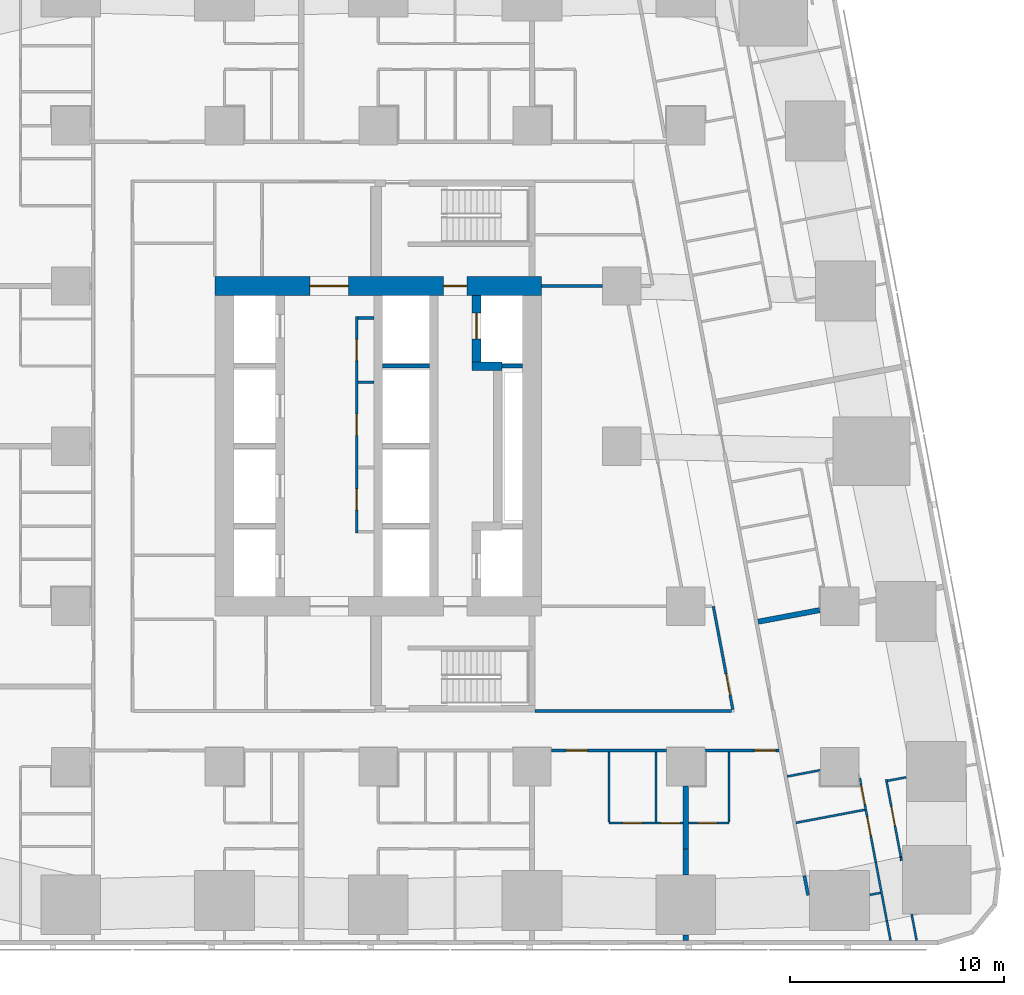
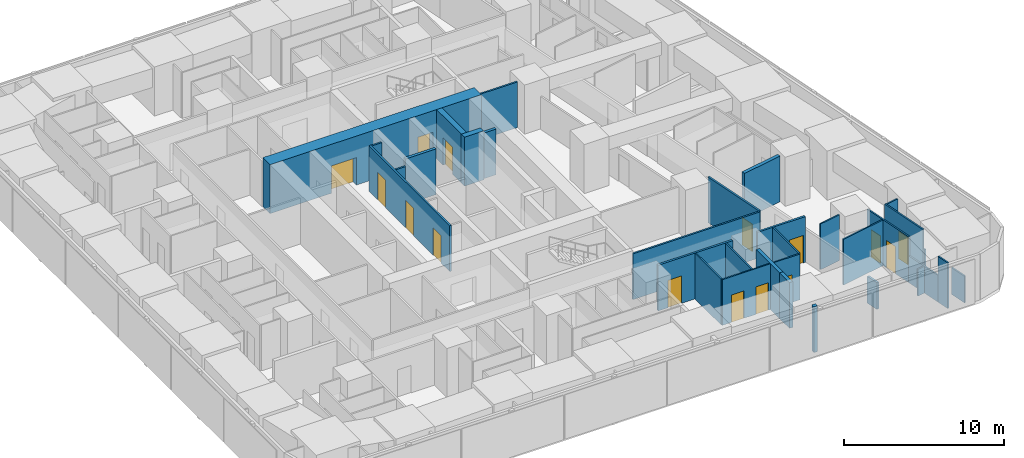
# One storey, part 7 of 16: 33 walls, 15 doors, 15 openings.
"""IFC4 building model written with IfcOpenShell, lengths in metres."""

from ifc_helpers import new_model, si_unit, direction, frame, frame_2d, origin, place, context, subcontext, project, spatial, rectangle, extrude, material, layer, layer_set, type_object, element, fill, save


model = new_model("IFC4")

# Units and contexts
model_context = context("Model", 3, precision=1e-05, world=origin(), true_north=direction((0.0, 1.0)))
body_context = subcontext(model_context, "Body", "Model", "MODEL_VIEW")
ifc_project = project(units=[si_unit("LENGTHUNIT", "METRE"), si_unit("AREAUNIT", "SQUARE_METRE"), si_unit("VOLUMEUNIT", "CUBIC_METRE"), si_unit("PLANEANGLEUNIT", "RADIAN"), si_unit("MASSUNIT", "GRAM", prefix="KILO")], contexts=[model_context])

# Site, building, storey
site_placement = place(None, origin())
site = spatial("IfcSite", under=ifc_project, at=site_placement, CompositionType="ELEMENT")
building_placement = place(site_placement, origin())
building = spatial("IfcBuilding", under=site, at=building_placement, Name="Sheger Commons Tower", CompositionType="ELEMENT")
storey_placement = place(building_placement, frame((0.0, 0.0, 53.75)))
storey = spatial("IfcBuildingStorey", under=building, at=storey_placement, Name="L13", CompositionType="ELEMENT", Elevation=53.75)

# Wall
ifc_material_1 = material(Name="Concrete C50/60", Category="concrete")
ifc_layer_1 = layer(ifc_material_1, 0.39990234375)
ifc_layer_set_1 = layer_set([ifc_layer_1], Name="CORE INNER WALL 400")
wall_type_1 = type_object("IfcWallType", Name="CORE INNER WALL 400", PredefinedType="SHEAR", material=ifc_layer_set_1)
wall_1_placement = place(storey_placement, frame((26.0, 26.25, 0.0), z_axis=(0.0, 0.0, 1.0), x_axis=(1.0, 0.0, 0.0)))
element("IfcWall", 1, at=wall_1_placement, inside=storey, type_object=wall_type_1, Name="Core inner wall F north return L13", PredefinedType="SHEAR", context=body_context, shape_type="SweptSolid", body=[
    extrude(rectangle(XDim=1.39990234375, YDim=0.39990234375, at=frame_2d((0.699951171875, 0.0))), origin(), (0.0, 0.0, 1.0), 3.75),
])

# Wall, opening, door
wall_2_placement = place(storey_placement, frame((26.199951171875, 26.449951171875, 0.0), z_axis=(0.0, 0.0, 1.0), x_axis=(0.0, 1.0, 0.0)))
wall_2 = element("IfcWall", 2, at=wall_2_placement, inside=storey, type_object=wall_type_1, Name="Core inner wall F north L13", PredefinedType="SHEAR", context=body_context, shape_type="SweptSolid", body=[
    extrude(rectangle(XDim=3.10009765625, YDim=0.39990234375, at=frame_2d((1.550048828125, 0.0))), origin(), (0.0, 0.0, 1.0), 3.75),
])
opening_1_placement = place(wall_2_placement, frame((1.074951171875, 0.0, 0.0)))
opening_1 = element("IfcOpeningElement", 3, at=opening_1_placement, cuts=wall_2, Name="Opening LD2", PredefinedType="OPENING", context=body_context, shape_type="SweptSolid", body=[
    extrude(rectangle(XDim=1.199951171875, YDim=2.10009765625, at=frame_2d((0.60009765625, 1.050048828125))), frame((0.0, 0.2099609375, 0.0), z_axis=(0.0, -1.0, 0.0), x_axis=(1.0, 0.0, 0.0)), (0.0, 0.0, 1.0), 0.419921875),
])
ifc_material_2 = material(Name="Steel door set, fire rated", Category="steel")
door_type_1 = type_object("IfcDoorType", Name="FIREFIGHTING LIFT LANDING DOOR 1200x2100", OperationType="DOUBLE_DOOR_SLIDING", PredefinedType="DOOR", material=ifc_material_2)
door_1_placement = place(opening_1_placement, origin())
door_1 = element("IfcDoor", 4, at=door_1_placement, inside=storey, type_object=door_type_1, Name="Lift FL2 landing door", OperationType="DOUBLE_DOOR_SLIDING", OverallHeight=2.10009765625, OverallWidth=1.199951171875, PredefinedType="DOOR", context=body_context, shape_type="SweptSolid", body=[
    extrude(rectangle(XDim=1.199951171875, YDim=2.10009765625, at=frame_2d((0.60009765625, 1.050048828125))), frame((0.0, 0.02490234375, 0.0), z_axis=(0.0, -1.0, 0.0), x_axis=(1.0, 0.0, 0.0)), (0.0, 0.0, 1.0), 0.050048828125),
])
fill(opening_1, door_1)

# Wall, openings, doors
ifc_material_3 = material(Name="Concrete C50/60", Category="concrete")
ifc_layer_2 = layer(ifc_material_3, 0.89990234375)
ifc_layer_set_2 = layer_set([ifc_layer_2], Name="CORE WALL 900")
wall_type_2 = type_object("IfcWallType", Name="CORE WALL 900", PredefinedType="SHEAR", material=ifc_layer_set_2)
wall_3_placement = place(storey_placement, frame((13.949951171875, 30.0, 0.0), z_axis=(0.0, 0.0, 1.0), x_axis=(1.0, 0.0, 0.0)))
wall_3 = element("IfcWall", 5, at=wall_3_placement, inside=storey, type_object=wall_type_2, Name="Core wall north L13", PredefinedType="SHEAR", context=body_context, shape_type="SweptSolid", body=[
    extrude(rectangle(XDim=15.300048828125, YDim=0.89990234375, at=frame_2d((7.64990234375, 0.0))), origin(), (0.0, 0.0, 1.0), 3.75),
])
opening_2_placement = place(wall_3_placement, frame((4.449951171875, 0.0, 0.0)))
opening_2 = element("IfcOpeningElement", 6, at=opening_2_placement, cuts=wall_3, Name="Opening D6", PredefinedType="OPENING", context=body_context, shape_type="SweptSolid", body=[
    extrude(rectangle(XDim=1.800048828125, YDim=2.10009765625, at=frame_2d((0.89990234375, 1.050048828125))), frame((0.0, 0.4599609375, 0.0), z_axis=(0.0, -1.0, 0.0), x_axis=(1.0, 0.0, 0.0)), (0.0, 0.0, 1.0), 0.919921875),
])
opening_3_placement = place(wall_3_placement, frame((10.699951171875, 0.0, 0.0)))
opening_3 = element("IfcOpeningElement", 7, at=opening_3_placement, cuts=wall_3, Name="Opening D5", PredefinedType="OPENING", context=body_context, shape_type="SweptSolid", body=[
    extrude(rectangle(XDim=1.10009765625, YDim=2.10009765625, at=frame_2d((0.550048828125, 1.050048828125))), frame((0.0, 0.4599609375, 0.0), z_axis=(0.0, -1.0, 0.0), x_axis=(1.0, 0.0, 0.0)), (0.0, 0.0, 1.0), 0.919921875),
])
ifc_material_4 = material(Name="Steel door set, fire rated", Category="steel")
door_type_2 = type_object("IfcDoorType", Name="LOBBY DOUBLE DOOR 1800x2100", OperationType="DOUBLE_DOOR_SINGLE_SWING", PredefinedType="DOOR", material=ifc_material_4)
door_2_placement = place(opening_2_placement, origin())
door_2 = element("IfcDoor", 8, at=door_2_placement, inside=storey, type_object=door_type_2, Name="Lift lobby door", OperationType="DOUBLE_DOOR_SINGLE_SWING", OverallHeight=2.10009765625, OverallWidth=1.800048828125, PredefinedType="DOOR", context=body_context, shape_type="SweptSolid", body=[
    extrude(rectangle(XDim=1.800048828125, YDim=2.10009765625, at=frame_2d((0.89990234375, 1.050048828125))), frame((0.0, 0.02490234375, 0.0), z_axis=(0.0, -1.0, 0.0), x_axis=(1.0, 0.0, 0.0)), (0.0, 0.0, 1.0), 0.050048828125),
])
fill(opening_2, door_2)
ifc_material_5 = material(Name="Steel door set, fire rated", Category="steel")
door_type_3 = type_object("IfcDoorType", Name="STAIR DOOR 1100x2100", OperationType="NOTDEFINED", PredefinedType="DOOR", material=ifc_material_5)
door_3_placement = place(opening_3_placement, origin())
door_3 = element("IfcDoor", 9, at=door_3_placement, inside=storey, type_object=door_type_3, Name="Fire-fighting lobby door", OperationType="SINGLE_SWING_LEFT", OverallHeight=2.10009765625, OverallWidth=1.10009765625, PredefinedType="DOOR", context=body_context, shape_type="SweptSolid", body=[
    extrude(rectangle(XDim=1.10009765625, YDim=2.10009765625, at=frame_2d((0.550048828125, 1.050048828125))), frame((0.0, 0.02490234375, 0.0), z_axis=(0.0, -1.0, 0.0), x_axis=(1.0, 0.0, 0.0)), (0.0, 0.0, 1.0), 0.050048828125),
])
fill(opening_3, door_3)

# Wall, opening, door
ifc_material_6 = material(Name="Hollow concrete block masonry, skimmed both sides", Category="masonry")
ifc_layer_3 = layer(ifc_material_6, 0.14990234375)
ifc_layer_set_3 = layer_set([ifc_layer_3], Name="CORRIDOR WALL 150")
wall_type_3 = type_object("IfcWallType", Name="CORRIDOR WALL 150", PredefinedType="SOLIDWALL", material=ifc_layer_set_3)
wall_4_placement = place(storey_placement, frame((40.35498046875, 8.25, 0.0), z_axis=(0.0, 0.0, 1.0), x_axis=(-1.0, 0.0, 0.0)))
wall_4 = element("IfcWall", 10, at=wall_4_placement, inside=storey, type_object=wall_type_3, Name="Corridor wall L13", PredefinedType="SOLIDWALL", context=body_context, shape_type="SweptSolid", body=[
    extrude(rectangle(XDim=3.4541015625, YDim=0.14990234375, at=frame_2d((1.72705078125, 0.0))), origin(), (0.0, 0.0, 1.0), 3.5),
])
opening_4_placement = place(wall_4_placement, frame((0.14990234375, 0.0, 0.0)))
opening_4 = element("IfcOpeningElement", 11, at=opening_4_placement, cuts=wall_4, Name="Opening D1", PredefinedType="OPENING", context=body_context, shape_type="SweptSolid", body=[
    extrude(rectangle(XDim=1.0, YDim=2.10009765625, at=frame_2d((0.5, 1.050048828125))), frame((0.0, 0.0849609375, 0.0), z_axis=(0.0, -1.0, 0.0), x_axis=(1.0, 0.0, 0.0)), (0.0, 0.0, 1.0), 0.169921875),
])
ifc_material_7 = material(Name="Steel door set, fire rated", Category="steel")
door_type_4 = type_object("IfcDoorType", Name="FLAT ENTRANCE DOOR 1000x2100", OperationType="NOTDEFINED", PredefinedType="DOOR", material=ifc_material_7)
door_4_placement = place(opening_4_placement, origin())
door_4 = element("IfcDoor", 12, at=door_4_placement, inside=storey, type_object=door_type_4, Name="Flat entrance door", OperationType="SINGLE_SWING_LEFT", OverallHeight=2.10009765625, OverallWidth=1.0, PredefinedType="DOOR", context=body_context, shape_type="SweptSolid", body=[
    extrude(rectangle(XDim=1.0, YDim=2.10009765625, at=frame_2d((0.5, 1.050048828125))), frame((0.0, 0.02490234375, 0.0), z_axis=(0.0, -1.0, 0.0), x_axis=(1.0, 0.0, 0.0)), (0.0, 0.0, 1.0), 0.050048828125),
])
fill(opening_4, door_4)

wall_5_placement = place(storey_placement, frame((35.09912109375, 8.25, 0.0), z_axis=(0.0, 0.0, 1.0), x_axis=(-1.0, 0.0, 0.0)))
wall_5 = element("IfcWall", 13, at=wall_5_placement, inside=storey, type_object=wall_type_3, Name="Corridor wall L13", PredefinedType="SOLIDWALL", context=body_context, shape_type="SweptSolid", body=[
    extrude(rectangle(XDim=5.398193359375, YDim=0.14990234375, at=frame_2d((2.69921875, 0.0))), origin(), (0.0, 0.0, 1.0), 3.5),
])
opening_5_placement = place(wall_5_placement, frame((3.698974609375, 0.0, 0.0)))
opening_5 = element("IfcOpeningElement", 14, at=opening_5_placement, cuts=wall_5, Name="Opening D1", PredefinedType="OPENING", context=body_context, shape_type="SweptSolid", body=[
    extrude(rectangle(XDim=1.0, YDim=2.10009765625, at=frame_2d((0.5, 1.050048828125))), frame((0.0, 0.0849609375, 0.0), z_axis=(0.0, -1.0, 0.0), x_axis=(1.0, 0.0, 0.0)), (0.0, 0.0, 1.0), 0.169921875),
])
door_5_placement = place(opening_5_placement, origin())
door_5 = element("IfcDoor", 15, at=door_5_placement, inside=storey, type_object=door_type_4, Name="Flat entrance door", OperationType="SINGLE_SWING_RIGHT", OverallHeight=2.10009765625, OverallWidth=1.0, PredefinedType="DOOR", context=body_context, shape_type="SweptSolid", body=[
    extrude(rectangle(XDim=1.0, YDim=2.10009765625, at=frame_2d((0.5, 1.050048828125))), frame((0.0, 0.02490234375, 0.0), z_axis=(0.0, -1.0, 0.0), x_axis=(1.0, 0.0, 0.0)), (0.0, 0.0, 1.0), 0.050048828125),
])
fill(opening_5, door_5)

# Walls
wall_6_placement = place(storey_placement, frame((41.552001953125, 2.39208984375, 0.0), z_axis=(0.0, 0.0, 1.0), x_axis=(0.185687800081, -0.982608793417, 0.0)))
element("IfcWall", 16, at=wall_6_placement, inside=storey, type_object=wall_type_3, Name="Corridor wall L13", PredefinedType="SOLIDWALL", context=body_context, shape_type="SweptSolid", body=[
    extrude(rectangle(XDim=0.9375, YDim=0.14990234375, at=frame_2d((0.46875, 0.0))), origin(), (0.0, 0.0, 1.0), 2.050048828125),
])
ifc_material_8 = material(Name="Dense concrete block masonry, plastered both sides (separating wall between flats)", Category="masonry")
ifc_layer_4 = layer(ifc_material_8, 0.25)
ifc_layer_set_4 = layer_set([ifc_layer_4], Name="DEMISING WALL 250")
wall_type_4 = type_object("IfcWallType", Name="DEMISING WALL 250", PredefinedType="SOLIDWALL", material=ifc_layer_set_4)
wall_7_placement = place(storey_placement, frame((36.0, -0.64990234375, 0.0), z_axis=(0.0, 0.0, 1.0), x_axis=(0.0, 1.0, 0.0)))
element("IfcWall", 17, at=wall_7_placement, inside=storey, type_object=wall_type_4, Name="Demising wall L13", PredefinedType="SOLIDWALL", context=body_context, shape_type="SweptSolid", body=[
    extrude(rectangle(XDim=0.27392578125, YDim=0.25, at=frame_2d((0.136962890625, 0.0))), origin(), (0.0, 0.0, 1.0), 3.5),
])
wall_8_placement = place(storey_placement, frame((36.0, 2.426025390625, 0.0), z_axis=(0.0, 0.0, 1.0), x_axis=(0.0, 1.0, 0.0)))
element("IfcWall", 18, at=wall_8_placement, inside=storey, type_object=wall_type_4, Name="Demising wall L13", PredefinedType="SOLIDWALL", context=body_context, shape_type="SweptSolid", body=[
    extrude(rectangle(XDim=1.223876953125, YDim=0.25, at=frame_2d((0.61181640625, 0.0))), origin(), (0.0, 0.0, 1.0), 3.5),
])
wall_9_placement = place(storey_placement, frame((36.0, 3.64990234375, 0.0), z_axis=(0.0, 0.0, 1.0), x_axis=(0.0, 1.0, 0.0)))
element("IfcWall", 19, at=wall_9_placement, inside=storey, type_object=wall_type_4, Name="Demising wall L13", PredefinedType="SOLIDWALL", context=body_context, shape_type="SweptSolid", body=[
    extrude(rectangle(XDim=2.94921875, YDim=0.25, at=frame_2d((1.474609375, 0.0))), origin(), (0.0, 0.0, 1.0), 3.5),
])
wall_10_placement = place(storey_placement, frame((42.27587890625, 14.824951171875, 0.0), z_axis=(0.0, 0.0, 1.0), x_axis=(-0.982656521819, -0.185435056358, 0.0)))
element("IfcWall", 20, at=wall_10_placement, inside=storey, type_object=wall_type_4, Name="Demising wall L13", PredefinedType="SOLIDWALL", context=body_context, shape_type="SweptSolid", body=[
    extrude(rectangle(XDim=2.94384765625, YDim=0.25, at=frame_2d((1.471923828125, 0.0))), origin(), (0.0, 0.0, 1.0), 3.5),
])

# Wall, openings, doors
ifc_material_9 = material(Name="Gypsum board on steel studs", Category="steel")
ifc_layer_5 = layer(ifc_material_9, 0.10009765625)
ifc_layer_set_5 = layer_set([ifc_layer_5], Name="PARTITION 100")
wall_type_5 = type_object("IfcWallType", Name="PARTITION 100", PredefinedType="PARTITIONING", material=ifc_layer_set_5)
wall_11_placement = place(storey_placement, frame((35.875, 4.85009765625, 0.0), z_axis=(0.0, 0.0, 1.0), x_axis=(-1.0, 0.0, 0.0)))
wall_11 = element("IfcWall", 21, at=wall_11_placement, inside=storey, type_object=wall_type_5, Name="Partition L13", PredefinedType="PARTITIONING", context=body_context, shape_type="SweptSolid", body=[
    extrude(rectangle(XDim=3.47509765625, YDim=0.10009765625, at=frame_2d((1.737548828125, 0.0))), origin(), (0.0, 0.0, 1.0), 3.5),
])
opening_6_placement = place(wall_11_placement, frame((1.919921875, 0.0, 0.0)))
opening_6 = element("IfcOpeningElement", 22, at=opening_6_placement, cuts=wall_11, Name="Opening D2", PredefinedType="OPENING", context=body_context, shape_type="SweptSolid", body=[
    extrude(rectangle(XDim=0.89990234375, YDim=2.10009765625, at=frame_2d((0.449951171875, 1.050048828125))), frame((0.0, 0.06005859375, 0.0), z_axis=(0.0, -1.0, 0.0), x_axis=(1.0, 0.0, 0.0)), (0.0, 0.0, 1.0), 0.1201171875),
])
opening_7_placement = place(wall_11_placement, frame((0.14990234375, 0.0, 0.0)))
opening_7 = element("IfcOpeningElement", 23, at=opening_7_placement, cuts=wall_11, Name="Opening D2", PredefinedType="OPENING", context=body_context, shape_type="SweptSolid", body=[
    extrude(rectangle(XDim=0.89990234375, YDim=2.10009765625, at=frame_2d((0.449951171875, 1.050048828125))), frame((0.0, 0.06005859375, 0.0), z_axis=(0.0, -1.0, 0.0), x_axis=(1.0, 0.0, 0.0)), (0.0, 0.0, 1.0), 0.1201171875),
])
ifc_material_10 = material(Name="Timber door set", Category="wood")
door_type_5 = type_object("IfcDoorType", Name="INTERNAL DOOR 900x2100", OperationType="NOTDEFINED", PredefinedType="DOOR", material=ifc_material_10)
door_6_placement = place(opening_6_placement, origin())
door_6 = element("IfcDoor", 24, at=door_6_placement, inside=storey, type_object=door_type_5, Name="Bathroom door", OperationType="SINGLE_SWING_LEFT", OverallHeight=2.10009765625, OverallWidth=0.89990234375, PredefinedType="DOOR", context=body_context, shape_type="SweptSolid", body=[
    extrude(rectangle(XDim=0.89990234375, YDim=2.10009765625, at=frame_2d((0.449951171875, 1.050048828125))), frame((0.0, 0.02490234375, 0.0), z_axis=(0.0, -1.0, 0.0), x_axis=(1.0, 0.0, 0.0)), (0.0, 0.0, 1.0), 0.050048828125),
])
fill(opening_6, door_6)
door_7_placement = place(opening_7_placement, origin())
door_7 = element("IfcDoor", 25, at=door_7_placement, inside=storey, type_object=door_type_5, Name="Store door", OperationType="SINGLE_SWING_RIGHT", OverallHeight=2.10009765625, OverallWidth=0.89990234375, PredefinedType="DOOR", context=body_context, shape_type="SweptSolid", body=[
    extrude(rectangle(XDim=0.89990234375, YDim=2.10009765625, at=frame_2d((0.449951171875, 1.050048828125))), frame((0.0, 0.02490234375, 0.0), z_axis=(0.0, -1.0, 0.0), x_axis=(1.0, 0.0, 0.0)), (0.0, 0.0, 1.0), 0.050048828125),
])
fill(opening_7, door_7)

# Walls
for number, where, z_axis, x_axis, name in (
    (26, (32.39990234375, 4.89990234375, 0.0), (0.0, 0.0, 1.0), (0.0, 1.0, 0.0), "Partition L13"),
    (27, (34.610107421875, 4.89990234375, 0.0), (0.0, 0.0, 1.0), (0.0, 1.0, 0.0), "Partition L13"),
):
    element("IfcWall", number, at=place(storey_placement, frame(where, z_axis=z_axis, x_axis=x_axis)), inside=storey, type_object=wall_type_5, Name=name, PredefinedType="PARTITIONING", context=body_context, shape_type="SweptSolid", body=[
        extrude(rectangle(XDim=3.275146484375, YDim=0.10009765625, at=frame_2d((1.6376953125, 0.0))), origin(), (0.0, 0.0, 1.0), 3.5),
    ])

# Wall, opening, door
wall_12_placement = place(storey_placement, frame((38.029052734375, 4.85009765625, 0.0), z_axis=(0.0, 0.0, 1.0), x_axis=(-1.0, 0.0, 0.0)))
wall_12 = element("IfcWall", 28, at=wall_12_placement, inside=storey, type_object=wall_type_5, Name="Partition L13", PredefinedType="PARTITIONING", context=body_context, shape_type="SweptSolid", body=[
    extrude(rectangle(XDim=1.904052734375, YDim=0.10009765625, at=frame_2d((0.9521484375, 0.0))), origin(), (0.0, 0.0, 1.0), 3.5),
])
opening_8_placement = place(wall_12_placement, frame((0.5791015625, 0.0, 0.0)))
opening_8 = element("IfcOpeningElement", 29, at=opening_8_placement, cuts=wall_12, Name="Opening D2", PredefinedType="OPENING", context=body_context, shape_type="SweptSolid", body=[
    extrude(rectangle(XDim=0.89990234375, YDim=2.10009765625, at=frame_2d((0.449951171875, 1.050048828125))), frame((0.0, 0.06005859375, 0.0), z_axis=(0.0, -1.0, 0.0), x_axis=(1.0, 0.0, 0.0)), (0.0, 0.0, 1.0), 0.1201171875),
])
door_8_placement = place(opening_8_placement, origin())
door_8 = element("IfcDoor", 30, at=door_8_placement, inside=storey, type_object=door_type_5, Name="Shower room door", OperationType="SINGLE_SWING_LEFT", OverallHeight=2.10009765625, OverallWidth=0.89990234375, PredefinedType="DOOR", context=body_context, shape_type="SweptSolid", body=[
    extrude(rectangle(XDim=0.89990234375, YDim=2.10009765625, at=frame_2d((0.449951171875, 1.050048828125))), frame((0.0, 0.02490234375, 0.0), z_axis=(0.0, -1.0, 0.0), x_axis=(1.0, 0.0, 0.0)), (0.0, 0.0, 1.0), 0.050048828125),
])
fill(opening_8, door_8)

# Wall
wall_13_placement = place(storey_placement, frame((38.029052734375, 4.89990234375, 0.0), z_axis=(0.0, 0.0, 1.0), x_axis=(0.0, 1.0, 0.0)))
element("IfcWall", 31, at=wall_13_placement, inside=storey, type_object=wall_type_5, Name="Partition L13", PredefinedType="PARTITIONING", context=body_context, shape_type="SweptSolid", body=[
    extrude(rectangle(XDim=3.275146484375, YDim=0.10009765625, at=frame_2d((1.6376953125, 0.0))), origin(), (0.0, 0.0, 1.0), 3.5),
])

# Wall, opening, door
wall_14_placement = place(storey_placement, frame((45.383056640625, 6.89404296875, 0.0), z_axis=(0.0, 0.0, 1.0), x_axis=(0.185791461635, -0.982589198385, 0.0)))
wall_14 = element("IfcWall", 32, at=wall_14_placement, inside=storey, type_object=wall_type_5, Name="Partition L13", PredefinedType="PARTITIONING", context=body_context, shape_type="SweptSolid", body=[
    extrude(rectangle(XDim=3.687255859375, YDim=0.10009765625, at=frame_2d((1.84375, 0.0))), origin(), (0.0, 0.0, 1.0), 3.5),
])
opening_9_placement = place(wall_14_placement, frame((1.300048828125, 0.0, 0.0)))
opening_9 = element("IfcOpeningElement", 33, at=opening_9_placement, cuts=wall_14, Name="Opening D2", PredefinedType="OPENING", context=body_context, shape_type="SweptSolid", body=[
    extrude(rectangle(XDim=0.89990234375, YDim=2.10009765625, at=frame_2d((0.449951171875, 1.050048828125))), frame((0.0, 0.06005859375, 0.0), z_axis=(0.0, -1.0, 0.0), x_axis=(1.0, 0.0, 0.0)), (0.0, 0.0, 1.0), 0.1201171875),
])
door_9_placement = place(opening_9_placement, origin())
door_9 = element("IfcDoor", 34, at=door_9_placement, inside=storey, type_object=door_type_5, Name="Main bedroom door", OperationType="SINGLE_SWING_LEFT", OverallHeight=2.10009765625, OverallWidth=0.89990234375, PredefinedType="DOOR", context=body_context, shape_type="SweptSolid", body=[
    extrude(rectangle(XDim=0.89990234375, YDim=2.10009765625, at=frame_2d((0.449951171875, 1.050048828125))), frame((0.0, 0.02490234375, 0.0), z_axis=(0.0, -1.0, 0.0), x_axis=(1.0, 0.0, 0.0)), (0.0, 0.0, 1.0), 0.050048828125),
])
fill(opening_9, door_9)

# Walls
wall_15_placement = place(storey_placement, frame((46.068115234375, 3.27099609375, 0.0), z_axis=(0.0, 0.0, 1.0), x_axis=(0.183590240121, -0.98300286049, 0.0)))
element("IfcWall", 35, at=wall_15_placement, inside=storey, type_object=wall_type_5, Name="Partition L13", PredefinedType="PARTITIONING", context=body_context, shape_type="SweptSolid", body=[
    extrude(rectangle(XDim=0.1689453125, YDim=0.10009765625, at=frame_2d((0.08447265625, 0.0))), origin(), (0.0, 0.0, 1.0), 2.050048828125),
])
wall_16_placement = place(storey_placement, frame((46.573974609375, 0.5869140625, 0.0), z_axis=(0.0, 0.0, 1.0), x_axis=(0.185997942803, -0.98255013372, 0.0)))
element("IfcWall", 36, at=wall_16_placement, inside=storey, type_object=wall_type_5, Name="Partition L13", PredefinedType="PARTITIONING", context=body_context, shape_type="SweptSolid", body=[
    extrude(rectangle(XDim=1.2587890625, YDim=0.10009765625, at=frame_2d((0.62939453125, 0.0))), origin(), (0.0, 0.0, 1.0), 2.050048828125),
])

# Wall, openings, doors
wall_17_placement = place(storey_placement, frame((44.14892578125, 6.9599609375, 0.0), z_axis=(0.0, 0.0, 1.0), x_axis=(0.185824941804, -0.982582867245, 0.0)))
wall_17 = element("IfcWall", 37, at=wall_17_placement, inside=storey, type_object=wall_type_5, Name="Partition L13", PredefinedType="PARTITIONING", context=body_context, shape_type="SweptSolid", body=[
    extrude(rectangle(XDim=4.009765625, YDim=0.10009765625, at=frame_2d((2.0048828125, 0.0))), origin(), (0.0, 0.0, 1.0), 3.5),
])
opening_10_placement = place(wall_17_placement, frame((0.35009765625, 0.0, 0.0)))
opening_10 = element("IfcOpeningElement", 38, at=opening_10_placement, cuts=wall_17, Name="Opening D2", PredefinedType="OPENING", context=body_context, shape_type="SweptSolid", body=[
    extrude(rectangle(XDim=0.89990234375, YDim=2.10009765625, at=frame_2d((0.449951171875, 1.050048828125))), frame((0.0, 0.06005859375, 0.0), z_axis=(0.0, -1.0, 0.0), x_axis=(1.0, 0.0, 0.0)), (0.0, 0.0, 1.0), 0.1201171875),
])
opening_11_placement = place(wall_17_placement, frame((1.85595703125, 0.0, 0.0)))
opening_11 = element("IfcOpeningElement", 39, at=opening_11_placement, cuts=wall_17, Name="Opening D2", PredefinedType="OPENING", context=body_context, shape_type="SweptSolid", body=[
    extrude(rectangle(XDim=0.89990234375, YDim=2.10009765625, at=frame_2d((0.449951171875, 1.050048828125))), frame((0.0, 0.06005859375, 0.0), z_axis=(0.0, -1.0, 0.0), x_axis=(1.0, 0.0, 0.0)), (0.0, 0.0, 1.0), 0.1201171875),
])
door_10_placement = place(opening_10_placement, origin())
door_10 = element("IfcDoor", 40, at=door_10_placement, inside=storey, type_object=door_type_5, Name="Bathroom door", OperationType="SINGLE_SWING_RIGHT", OverallHeight=2.10009765625, OverallWidth=0.89990234375, PredefinedType="DOOR", context=body_context, shape_type="SweptSolid", body=[
    extrude(rectangle(XDim=0.89990234375, YDim=2.10009765625, at=frame_2d((0.449951171875, 1.050048828125))), frame((0.0, 0.02490234375, 0.0), z_axis=(0.0, -1.0, 0.0), x_axis=(1.0, 0.0, 0.0)), (0.0, 0.0, 1.0), 0.050048828125),
])
fill(opening_10, door_10)
door_11_placement = place(opening_11_placement, origin())
door_11 = element("IfcDoor", 41, at=door_11_placement, inside=storey, type_object=door_type_5, Name="Store door", OperationType="SINGLE_SWING_RIGHT", OverallHeight=2.10009765625, OverallWidth=0.89990234375, PredefinedType="DOOR", context=body_context, shape_type="SweptSolid", body=[
    extrude(rectangle(XDim=0.89990234375, YDim=2.10009765625, at=frame_2d((0.449951171875, 1.050048828125))), frame((0.0, 0.02490234375, 0.0), z_axis=(0.0, -1.0, 0.0), x_axis=(1.0, 0.0, 0.0)), (0.0, 0.0, 1.0), 0.050048828125),
])
fill(opening_11, door_11)

# Walls
wall_18_placement = place(storey_placement, frame((44.89404296875, 3.02001953125, 0.0), z_axis=(0.0, 0.0, 1.0), x_axis=(0.185471317237, -0.982649678412, 0.0)))
element("IfcWall", 42, at=wall_18_placement, inside=storey, type_object=wall_type_5, Name="Partition L13", PredefinedType="PARTITIONING", context=body_context, shape_type="SweptSolid", body=[
    extrude(rectangle(XDim=2.8037109375, YDim=0.10009765625, at=frame_2d((1.40185546875, 0.0))), origin(), (0.0, 0.0, 1.0), 2.050048828125),
])
wall_19_placement = place(storey_placement, frame((45.4140625, 0.264892578125, 0.0), z_axis=(0.0, 0.0, 1.0), x_axis=(0.185665855771, -0.982612940074, 0.0)))
element("IfcWall", 43, at=wall_19_placement, inside=storey, type_object=wall_type_5, Name="Partition L13", PredefinedType="PARTITIONING", context=body_context, shape_type="SweptSolid", body=[
    extrude(rectangle(XDim=0.930908203125, YDim=0.10009765625, at=frame_2d((0.46533203125, 0.0))), origin(), (0.0, 0.0, 1.0), 3.5),
])
wall_20_placement = place(storey_placement, frame((46.320068359375, 6.9970703125, 0.0), z_axis=(0.0, 0.0, 1.0), x_axis=(-0.982635224332, -0.185547880349, 0.0)))
element("IfcWall", 44, at=wall_20_placement, inside=storey, type_object=wall_type_5, Name="Partition L13", PredefinedType="PARTITIONING", context=body_context, shape_type="SweptSolid", body=[
    extrude(rectangle(XDim=0.889404296875, YDim=0.10009765625, at=frame_2d((0.44482421875, 0.0))), origin(), (0.0, 0.0, 1.0), 3.5),
])
wall_21_placement = place(storey_placement, frame((42.2900390625, 7.3291015625, 0.0), z_axis=(0.0, 0.0, 1.0), x_axis=(-0.98258870752, -0.18579405764, 0.0)))
element("IfcWall", 45, at=wall_21_placement, inside=storey, type_object=wall_type_5, Name="Partition L13", PredefinedType="PARTITIONING", context=body_context, shape_type="SweptSolid", body=[
    extrude(rectangle(XDim=1.56640625, YDim=0.10009765625, at=frame_2d((0.783203125, 0.0))), origin(), (0.0, 0.0, 1.0), 3.5),
])
wall_22_placement = place(storey_placement, frame((45.114013671875, 1.5869140625, 0.0), z_axis=(0.0, 0.0, 1.0), x_axis=(-0.982699277433, -0.185208342501, 0.0)))
element("IfcWall", 46, at=wall_22_placement, inside=storey, type_object=wall_type_5, Name="Partition L13", PredefinedType="PARTITIONING", context=body_context, shape_type="SweptSolid", body=[
    extrude(rectangle(XDim=0.5126953125, YDim=0.10009765625, at=frame_2d((0.25634765625, 0.0))), origin(), (0.0, 0.0, 1.0), 2.050048828125),
])
wall_23_placement = place(storey_placement, frame((44.37890625, 5.47412109375, 0.0), z_axis=(0.0, 0.0, 1.0), x_axis=(-0.982607026909, -0.185697147715, 0.0)))
element("IfcWall", 47, at=wall_23_placement, inside=storey, type_object=wall_type_5, Name="Partition L13", PredefinedType="PARTITIONING", context=body_context, shape_type="SweptSolid", body=[
    extrude(rectangle(XDim=3.27490234375, YDim=0.10009765625, at=frame_2d((1.637451171875, 0.0))), origin(), (0.0, 0.0, 1.0), 3.5),
])
ifc_material_11 = material(Name="Gypsum board on steel studs, two layers each side, fire rated", Category="steel")
ifc_layer_6 = layer(ifc_material_11, 0.125)
ifc_layer_set_6 = layer_set([ifc_layer_6], Name="SERVICE WALL 125")
wall_type_6 = type_object("IfcWallType", Name="SERVICE WALL 125", PredefinedType="PARTITIONING", material=ifc_layer_set_6)
wall_24_placement = place(storey_placement, frame((28.949951171875, 10.10009765625, 0.0), z_axis=(0.0, 0.0, 1.0), x_axis=(1.0, 0.0, 0.0)))
element("IfcWall", 48, at=wall_24_placement, inside=storey, type_object=wall_type_6, Name="Service room wall L13", PredefinedType="PARTITIONING", context=body_context, shape_type="SweptSolid", body=[
    extrude(rectangle(XDim=9.18798828125, YDim=0.125, at=frame_2d((4.593994140625, 0.0))), origin(), (0.0, 0.0, 1.0), 3.5),
])

# Wall, opening, door
wall_25_placement = place(storey_placement, frame((38.201904296875, 10.1630859375, 0.0), z_axis=(0.0, 0.0, 1.0), x_axis=(-0.185641892853, 0.982617467593, 0.0)))
wall_25 = element("IfcWall", 49, at=wall_25_placement, inside=storey, type_object=wall_type_6, Name="Service room wall L13", PredefinedType="PARTITIONING", context=body_context, shape_type="SweptSolid", body=[
    extrude(rectangle(XDim=4.92236328125, YDim=0.125, at=frame_2d((2.461181640625, 0.0))), origin(), (0.0, 0.0, 1.0), 3.5),
])
opening_12_placement = place(wall_25_placement, frame((0.7080078125, 0.0, 0.0)))
opening_12 = element("IfcOpeningElement", 50, at=opening_12_placement, cuts=wall_25, Name="Opening D4", PredefinedType="OPENING", context=body_context, shape_type="SweptSolid", body=[
    extrude(rectangle(XDim=1.0, YDim=2.10009765625, at=frame_2d((0.5, 1.050048828125))), frame((0.0, 0.072509765625, 0.0), z_axis=(0.0, -1.0, 0.0), x_axis=(1.0, 0.0, 0.0)), (0.0, 0.0, 1.0), 0.14501953125),
])
ifc_material_12 = material(Name="Steel door set, fire rated", Category="steel")
door_type_6 = type_object("IfcDoorType", Name="SERVICE DOOR 1000x2100", OperationType="NOTDEFINED", PredefinedType="DOOR", material=ifc_material_12)
door_12_placement = place(opening_12_placement, origin())
door_12 = element("IfcDoor", 51, at=door_12_placement, inside=storey, type_object=door_type_6, Name="Parcel and delivery room door", OperationType="SINGLE_SWING_LEFT", OverallHeight=2.10009765625, OverallWidth=1.0, PredefinedType="DOOR", context=body_context, shape_type="SweptSolid", body=[
    extrude(rectangle(XDim=1.0, YDim=2.10009765625, at=frame_2d((0.5, 1.050048828125))), frame((0.0, 0.02490234375, 0.0), z_axis=(0.0, -1.0, 0.0), x_axis=(1.0, 0.0, 0.0)), (0.0, 0.0, 1.0), 0.050048828125),
])
fill(opening_12, door_12)

# Wall
wall_26_placement = place(storey_placement, frame((29.25, 30.0, 0.0), z_axis=(0.0, 0.0, 1.0), x_axis=(1.0, 0.0, 0.0)))
element("IfcWall", 52, at=wall_26_placement, inside=storey, type_object=wall_type_6, Name="Service room wall L13", PredefinedType="PARTITIONING", context=body_context, shape_type="SweptSolid", body=[
    extrude(rectangle(XDim=2.84912109375, YDim=0.125, at=frame_2d((1.424560546875, 0.0))), origin(), (0.0, 0.0, 1.0), 3.5),
])

# Wall, openings, doors
wall_27_placement = place(storey_placement, frame((20.60009765625, 18.43798828125, 0.0), z_axis=(0.0, 0.0, 1.0), x_axis=(0.0, 1.0, 0.0)))
wall_27 = element("IfcWall", 53, at=wall_27_placement, inside=storey, type_object=wall_type_6, Name="Service room wall L13", PredefinedType="PARTITIONING", context=body_context, shape_type="SweptSolid", body=[
    extrude(rectangle(XDim=10.1240234375, YDim=0.125, at=frame_2d((5.06201171875, 0.0))), origin(), (0.0, 0.0, 1.0), 3.5),
])
opening_13_placement = place(wall_27_placement, frame((1.06201171875, 0.0, 0.0)))
opening_13 = element("IfcOpeningElement", 54, at=opening_13_placement, cuts=wall_27, Name="Opening D4", PredefinedType="OPENING", context=body_context, shape_type="SweptSolid", body=[
    extrude(rectangle(XDim=1.0, YDim=2.10009765625, at=frame_2d((0.5, 1.050048828125))), frame((0.0, 0.072509765625, 0.0), z_axis=(0.0, -1.0, 0.0), x_axis=(1.0, 0.0, 0.0)), (0.0, 0.0, 1.0), 0.14501953125),
])
opening_14_placement = place(wall_27_placement, frame((4.56201171875, 0.0, 0.0)))
opening_14 = element("IfcOpeningElement", 55, at=opening_14_placement, cuts=wall_27, Name="Opening D4", PredefinedType="OPENING", context=body_context, shape_type="SweptSolid", body=[
    extrude(rectangle(XDim=1.0, YDim=2.10009765625, at=frame_2d((0.5, 1.050048828125))), frame((0.0, 0.072509765625, 0.0), z_axis=(0.0, -1.0, 0.0), x_axis=(1.0, 0.0, 0.0)), (0.0, 0.0, 1.0), 0.14501953125),
])
opening_15_placement = place(wall_27_placement, frame((8.06201171875, 0.0, 0.0)))
opening_15 = element("IfcOpeningElement", 56, at=opening_15_placement, cuts=wall_27, Name="Opening D4", PredefinedType="OPENING", context=body_context, shape_type="SweptSolid", body=[
    extrude(rectangle(XDim=1.0, YDim=2.10009765625, at=frame_2d((0.5, 1.050048828125))), frame((0.0, 0.072509765625, 0.0), z_axis=(0.0, -1.0, 0.0), x_axis=(1.0, 0.0, 0.0)), (0.0, 0.0, 1.0), 0.14501953125),
])
door_13_placement = place(opening_13_placement, origin())
door_13 = element("IfcDoor", 57, at=door_13_placement, inside=storey, type_object=door_type_6, Name="Water meter cupboard door", OperationType="SINGLE_SWING_LEFT", OverallHeight=2.10009765625, OverallWidth=1.0, PredefinedType="DOOR", context=body_context, shape_type="SweptSolid", body=[
    extrude(rectangle(XDim=1.0, YDim=2.10009765625, at=frame_2d((0.5, 1.050048828125))), frame((0.0, 0.02490234375, 0.0), z_axis=(0.0, -1.0, 0.0), x_axis=(1.0, 0.0, 0.0)), (0.0, 0.0, 1.0), 0.050048828125),
])
fill(opening_13, door_13)
door_14_placement = place(opening_14_placement, origin())
door_14 = element("IfcDoor", 58, at=door_14_placement, inside=storey, type_object=door_type_6, Name="Linen cupboard door", OperationType="SINGLE_SWING_RIGHT", OverallHeight=2.10009765625, OverallWidth=1.0, PredefinedType="DOOR", context=body_context, shape_type="SweptSolid", body=[
    extrude(rectangle(XDim=1.0, YDim=2.10009765625, at=frame_2d((0.5, 1.050048828125))), frame((0.0, 0.02490234375, 0.0), z_axis=(0.0, -1.0, 0.0), x_axis=(1.0, 0.0, 0.0)), (0.0, 0.0, 1.0), 0.050048828125),
])
fill(opening_14, door_14)
door_15_placement = place(opening_15_placement, origin())
door_15 = element("IfcDoor", 59, at=door_15_placement, inside=storey, type_object=door_type_6, Name="Housekeeping cupboard door", OperationType="SINGLE_SWING_RIGHT", OverallHeight=2.10009765625, OverallWidth=1.0, PredefinedType="DOOR", context=body_context, shape_type="SweptSolid", body=[
    extrude(rectangle(XDim=1.0, YDim=2.10009765625, at=frame_2d((0.5, 1.050048828125))), frame((0.0, 0.02490234375, 0.0), z_axis=(0.0, -1.0, 0.0), x_axis=(1.0, 0.0, 0.0)), (0.0, 0.0, 1.0), 0.050048828125),
])
fill(opening_15, door_15)

# Walls
for number, where, z_axis, x_axis, name in (
    (60, (20.6630859375, 28.5, 0.0), (0.0, 0.0, 1.0), (1.0, 0.0, 0.0), "Service room wall L13"),
    (61, (20.6630859375, 25.5, 0.0), (0.0, 0.0, 1.0), (1.0, 0.0, 0.0), "Service room wall L13"),
):
    element("IfcWall", number, at=place(storey_placement, frame(where, z_axis=z_axis, x_axis=x_axis)), inside=storey, type_object=wall_type_6, Name=name, PredefinedType="PARTITIONING", context=body_context, shape_type="SweptSolid", body=[
        extrude(rectangle(XDim=0.73681640625, YDim=0.125, at=frame_2d((0.368408203125, 0.0))), origin(), (0.0, 0.0, 1.0), 3.5),
    ])
ifc_material_13 = material(Name="Hollow concrete block masonry", Category="masonry")
ifc_layer_7 = layer(ifc_material_13, 0.199951171875)
ifc_layer_set_7 = layer_set([ifc_layer_7], Name="SHAFT WALL 200")
wall_type_7 = type_object("IfcWallType", Name="SHAFT WALL 200", PredefinedType="SOLIDWALL", material=ifc_layer_set_7)
wall_28_placement = place(storey_placement, frame((21.800048828125, 26.25, 0.0), z_axis=(0.0, 0.0, 1.0), x_axis=(1.0, 0.0, 0.0)))
element("IfcWall", 62, at=wall_28_placement, inside=storey, type_object=wall_type_7, Name="Lift shaft wall L13", PredefinedType="SOLIDWALL", context=body_context, shape_type="SweptSolid", body=[
    extrude(rectangle(XDim=2.199951171875, YDim=0.199951171875, at=frame_2d((1.10009765625, 0.0))), origin(), (0.0, 0.0, 1.0), 3.5),
])
wall_29_placement = place(storey_placement, frame((27.39990234375, 26.25, 0.0), z_axis=(0.0, 0.0, 1.0), x_axis=(1.0, 0.0, 0.0)))
element("IfcWall", 63, at=wall_29_placement, inside=storey, type_object=wall_type_7, Name="Lift shaft wall L13", PredefinedType="SOLIDWALL", context=body_context, shape_type="SweptSolid", body=[
    extrude(rectangle(XDim=0.9501953125, YDim=0.199951171875, at=frame_2d((0.47509765625, 0.0))), origin(), (0.0, 0.0, 1.0), 3.5),
])

save(model, "model.ifc")
